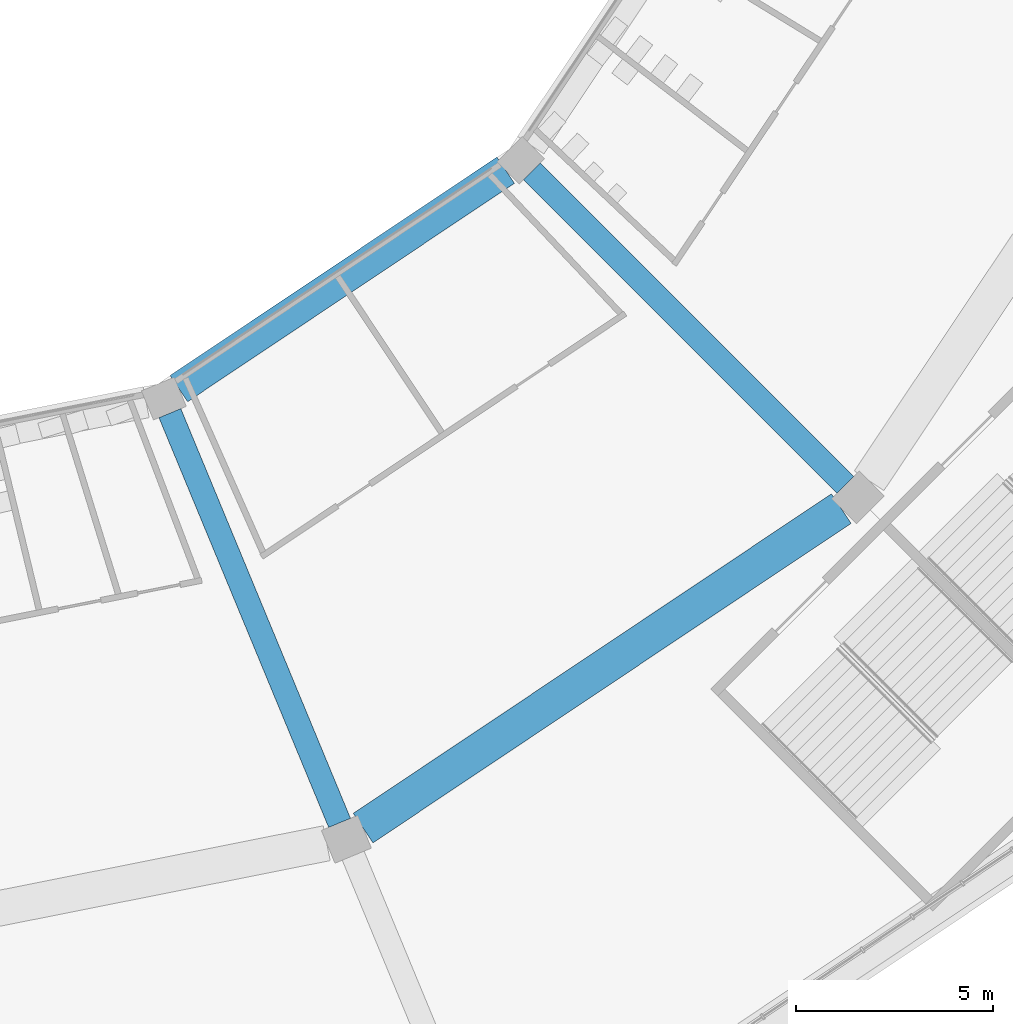
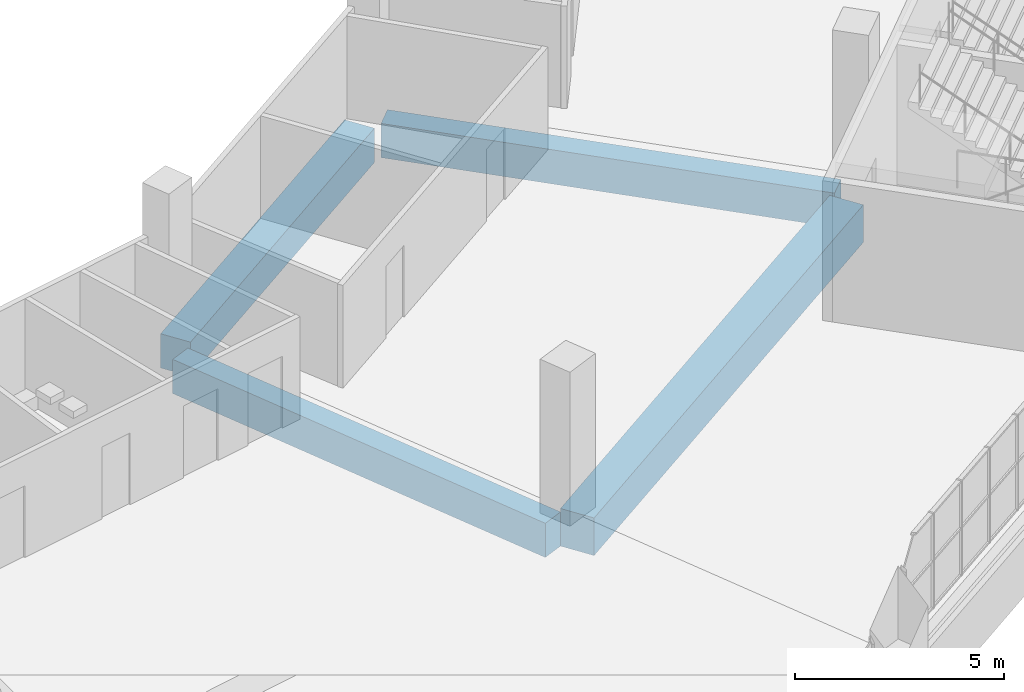
# One storey, part 23 of 199: 4 beams.
"""IFC4 building model written with IfcOpenShell, lengths in metres."""

from ifc_helpers import new_model, si_unit, direction, frame, origin, origin_2d, place, context, subcontext, project, spatial, rectangle, extrude, material, material_profile, profile_set, type_object, element, save


model = new_model("IFC4")

# Units and contexts
model_context = context("Model", 3, precision=1e-05, world=origin(), true_north=direction((0.0, 1.0)))
body_context = subcontext(model_context, "Body", "Model", "MODEL_VIEW")
ifc_project = project(units=[si_unit("LENGTHUNIT", "METRE"), si_unit("AREAUNIT", "SQUARE_METRE"), si_unit("VOLUMEUNIT", "CUBIC_METRE"), si_unit("PLANEANGLEUNIT", "RADIAN"), si_unit("MASSUNIT", "GRAM", prefix="KILO")], contexts=[model_context])

# Site, building, storey
site_placement = place(None, origin())
site = spatial("IfcSite", under=ifc_project, at=site_placement, CompositionType="ELEMENT")
building_placement = place(site_placement, origin())
building = spatial("IfcBuilding", under=site, at=building_placement, Name="Ogive Plaza Stadium", CompositionType="ELEMENT")
storey_placement = place(building_placement, frame((0.0, 0.0, 9.0)))
storey = spatial("IfcBuildingStorey", under=building, at=storey_placement, Name="L02", CompositionType="ELEMENT", Elevation=9.0)

# Beams
ifc_material_1 = material(Name="Concrete C40/50", Category="concrete")
ifc_material_profile_1 = material_profile(ifc_material_1, rectangle(XDim=0.60009765625, YDim=1.0, at=origin_2d()), Name="RC 600x1000")
ifc_profile_set_1 = profile_set([ifc_material_profile_1], Name="Concrete C40/50")
beam_type_1 = type_object("IfcBeamType", Name="RC radial beam 600x1000", PredefinedType="BEAM", material=ifc_profile_set_1)
beam_1_placement = place(storey_placement, frame((54.01123046875, -72.51123046875, -0.909912109375), z_axis=(0.707106781187, -0.707106781187, 0.0), x_axis=(0.707106781187, 0.707106781187, 0.0)))
element("IfcBeam", 1, at=beam_1_placement, inside=storey, type_object=beam_type_1, Name="Radial beam L02 R10 F3F4", PredefinedType="BEAM", context=body_context, shape_type="SweptSolid", body=[
    extrude(rectangle(XDim=0.60009765625, YDim=1.0, at=origin_2d()), origin(), (0.0, 0.0, 1.0), 11.249755859375),
])
beam_2_placement = place(storey_placement, frame((44.829833984375, -78.645751953125, -0.909912109375), z_axis=(0.382677616283, -0.92388194159, 0.0), x_axis=(0.92388194159, 0.382677616283, 0.0)))
element("IfcBeam", 2, at=beam_2_placement, inside=storey, type_object=beam_type_1, Name="Radial beam L02 R11 F3F4", PredefinedType="BEAM", context=body_context, shape_type="SweptSolid", body=[
    extrude(rectangle(XDim=0.60009765625, YDim=1.0, at=origin_2d()), origin(), (0.0, 0.0, 1.0), 11.250244140625),
])
ifc_material_2 = material(Name="Concrete C40/50", Category="concrete")
ifc_material_profile_2 = material_profile(ifc_material_2, rectangle(XDim=0.800048828125, YDim=1.0, at=origin_2d()), Name="RC 800x1000")
ifc_profile_set_2 = profile_set([ifc_material_profile_2], Name="Concrete C40/50")
beam_type_2 = type_object("IfcBeamType", Name="RC ring beam 800x1000", PredefinedType="BEAM", material=ifc_profile_set_2)
beam_3_placement = place(storey_placement, frame((53.3466796875, -72.483154296875, -0.909912109375), z_axis=(-0.831469573595, -0.555570290949, 0.0), x_axis=(0.555570290949, -0.831469573595, 0.0)))
element("IfcBeam", 3, at=beam_3_placement, inside=storey, type_object=beam_type_2, Name="Ring beam F3 L02 B10", PredefinedType="BEAM", context=body_context, shape_type="SweptSolid", body=[
    extrude(rectangle(XDim=0.800048828125, YDim=1.0, at=origin_2d()), origin(), (0.0, 0.0, 1.0), 9.96826171875),
])
ifc_material_3 = material(Name="Concrete C40/50", Category="concrete")
ifc_material_profile_3 = material_profile(ifc_material_3, rectangle(XDim=0.89990234375, YDim=1.10009765625, at=origin_2d()), Name="RC 900x1100")
ifc_profile_set_3 = profile_set([ifc_material_profile_3], Name="Concrete C40/50")
beam_type_3 = type_object("IfcBeamType", Name="RC ring beam 900x1100", PredefinedType="BEAM", material=ifc_profile_set_3)
beam_4_placement = place(storey_placement, frame((61.8603515625, -81.0673828125, -0.9599609375), z_axis=(-0.831467933961, -0.555572744827, 0.0), x_axis=(0.555572744827, -0.831467933961, 0.0)))
element("IfcBeam", 4, at=beam_4_placement, inside=storey, type_object=beam_type_3, Name="Ring beam F4 L02 B10", PredefinedType="BEAM", context=body_context, shape_type="SweptSolid", body=[
    extrude(rectangle(XDim=0.89990234375, YDim=1.10009765625, at=origin_2d()), origin(), (0.0, 0.0, 1.0), 14.587646484375),
])

save(model, "model.ifc")
